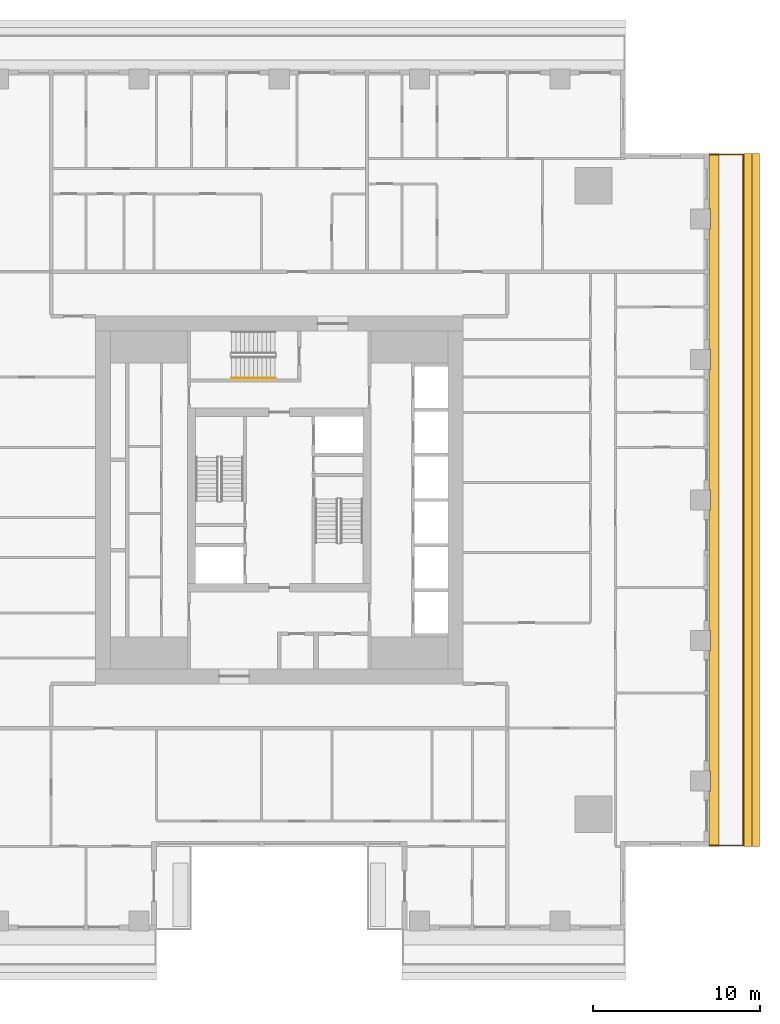
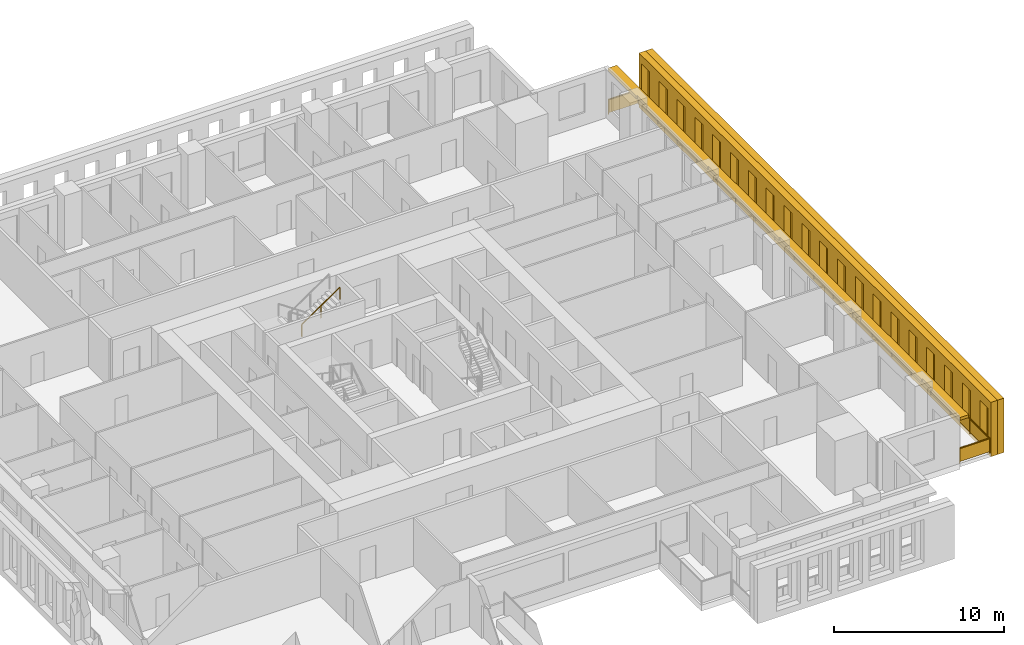
# One storey, part 13 of 15: 3 shading devices, 2 railings.
"""IFC4 building model written with IfcOpenShell, lengths in metres."""

from ifc_helpers import new_model, si_unit, direction, frame, origin, origin_2d, place, context, subcontext, project, spatial, polyline, rectangle, outline, extrude, material, layer, layer_set, type_object, element, save


model = new_model("IFC4")

# Units and contexts
model_context = context("Model", 3, precision=1e-05, world=origin(), true_north=direction((0.0, 1.0)))
body_context = subcontext(model_context, "Body", "Model", "MODEL_VIEW")
ifc_project = project(units=[si_unit("LENGTHUNIT", "METRE"), si_unit("AREAUNIT", "SQUARE_METRE"), si_unit("VOLUMEUNIT", "CUBIC_METRE"), si_unit("PLANEANGLEUNIT", "RADIAN"), si_unit("MASSUNIT", "GRAM", prefix="KILO")], contexts=[model_context])

# Site, building, storey
site_placement = place(None, origin())
site = spatial("IfcSite", under=ifc_project, at=site_placement, CompositionType="ELEMENT")
building_placement = place(site_placement, origin())
building = spatial("IfcBuilding", under=site, at=building_placement, Name="Khepri Terraces", CompositionType="ELEMENT")
storey_placement = place(building_placement, frame((0.0, 0.0, 256.199951171875)))
storey = spatial("IfcBuildingStorey", under=building, at=storey_placement, Name="L61", CompositionType="ELEMENT", Elevation=256.199951171875)

# Railings
ifc_material_1 = material(Name="Stainless steel grade 316", Category="steel")
railing_type_1 = type_object("IfcRailingType", Name="GRD-BAL-1100", PredefinedType="GUARDRAIL", material=ifc_material_1)
railing_1_placement = place(storey_placement, frame((25.719970703125, -20.669921875, 0.0)))
element("IfcRailing", 1, at=railing_1_placement, inside=storey, type_object=railing_type_1, Name="Balcony guard L61 E", PredefinedType="GUARDRAIL", context=body_context, shape_type="SweptSolid", body=[
    extrude(rectangle(XDim=0.050048828125, YDim=0.06005859375, at=origin_2d()), frame((0.0, 0.0, 1.070068359375), z_axis=(1.0, 0.0, 0.0), x_axis=(0.0, 1.0, 0.0)), (0.0, 0.0, 1.0), 2.050048828125),
    extrude(rectangle(XDim=2.0, YDim=0.011962890625, at=origin_2d()), frame((1.02490234375, 0.0, 0.10009765625), z_axis=(0.0, 0.0, 1.0), x_axis=(1.0, 0.0, 0.0)), (0.0, 0.0, 1.0), 0.93994140625),
    extrude(rectangle(XDim=0.050048828125, YDim=0.06005859375, at=origin_2d()), frame((2.050048828125, 0.0, 1.070068359375), z_axis=(0.0, 1.0, 0.0), x_axis=(-1.0, 0.0, 0.0)), (0.0, 0.0, 1.0), 41.33984375),
    extrude(rectangle(XDim=2.24658203125, YDim=0.011962890625, at=origin_2d()), frame((2.050048828125, 1.1484375, 0.10009765625), z_axis=(0.0, 0.0, 1.0), x_axis=(0.0, 1.0, 0.0)), (0.0, 0.0, 1.0), 0.93994140625),
    extrude(rectangle(XDim=2.24658203125, YDim=0.011962890625, at=origin_2d()), frame((2.050048828125, 3.445068359375, 0.10009765625), z_axis=(0.0, 0.0, 1.0), x_axis=(0.0, 1.0, 0.0)), (0.0, 0.0, 1.0), 0.93994140625),
    extrude(rectangle(XDim=2.24658203125, YDim=0.011962890625, at=origin_2d()), frame((2.050048828125, 5.74169921875, 0.10009765625), z_axis=(0.0, 0.0, 1.0), x_axis=(0.0, 1.0, 0.0)), (0.0, 0.0, 1.0), 0.93994140625),
    extrude(rectangle(XDim=2.24658203125, YDim=0.011962890625, at=origin_2d()), frame((2.050048828125, 8.038330078125, 0.10009765625), z_axis=(0.0, 0.0, 1.0), x_axis=(0.0, 1.0, 0.0)), (0.0, 0.0, 1.0), 0.93994140625),
    extrude(rectangle(XDim=2.24658203125, YDim=0.011962890625, at=origin_2d()), frame((2.050048828125, 10.3349609375, 0.10009765625), z_axis=(0.0, 0.0, 1.0), x_axis=(0.0, 1.0, 0.0)), (0.0, 0.0, 1.0), 0.93994140625),
    extrude(rectangle(XDim=2.24658203125, YDim=0.011962890625, at=origin_2d()), frame((2.050048828125, 12.631591796875, 0.10009765625), z_axis=(0.0, 0.0, 1.0), x_axis=(0.0, 1.0, 0.0)), (0.0, 0.0, 1.0), 0.93994140625),
    extrude(rectangle(XDim=2.24658203125, YDim=0.011962890625, at=origin_2d()), frame((2.050048828125, 14.92822265625, 0.10009765625), z_axis=(0.0, 0.0, 1.0), x_axis=(0.0, 1.0, 0.0)), (0.0, 0.0, 1.0), 0.93994140625),
    extrude(rectangle(XDim=2.24658203125, YDim=0.011962890625, at=origin_2d()), frame((2.050048828125, 17.224853515625, 0.10009765625), z_axis=(0.0, 0.0, 1.0), x_axis=(0.0, 1.0, 0.0)), (0.0, 0.0, 1.0), 0.93994140625),
    extrude(rectangle(XDim=2.24658203125, YDim=0.011962890625, at=origin_2d()), frame((2.050048828125, 19.521484375, 0.10009765625), z_axis=(0.0, 0.0, 1.0), x_axis=(0.0, 1.0, 0.0)), (0.0, 0.0, 1.0), 0.93994140625),
    extrude(rectangle(XDim=2.24658203125, YDim=0.011962890625, at=origin_2d()), frame((2.050048828125, 21.818359375, 0.10009765625), z_axis=(0.0, 0.0, 1.0), x_axis=(0.0, 1.0, 0.0)), (0.0, 0.0, 1.0), 0.93994140625),
    extrude(rectangle(XDim=2.24658203125, YDim=0.011962890625, at=origin_2d()), frame((2.050048828125, 24.114990234375, 0.10009765625), z_axis=(0.0, 0.0, 1.0), x_axis=(0.0, 1.0, 0.0)), (0.0, 0.0, 1.0), 0.93994140625),
    extrude(rectangle(XDim=2.24658203125, YDim=0.011962890625, at=origin_2d()), frame((2.050048828125, 26.41162109375, 0.10009765625), z_axis=(0.0, 0.0, 1.0), x_axis=(0.0, 1.0, 0.0)), (0.0, 0.0, 1.0), 0.93994140625),
    extrude(rectangle(XDim=2.24658203125, YDim=0.011962890625, at=origin_2d()), frame((2.050048828125, 28.708251953125, 0.10009765625), z_axis=(0.0, 0.0, 1.0), x_axis=(0.0, 1.0, 0.0)), (0.0, 0.0, 1.0), 0.93994140625),
    extrude(rectangle(XDim=2.24658203125, YDim=0.011962890625, at=origin_2d()), frame((2.050048828125, 31.0048828125, 0.10009765625), z_axis=(0.0, 0.0, 1.0), x_axis=(0.0, 1.0, 0.0)), (0.0, 0.0, 1.0), 0.93994140625),
    extrude(rectangle(XDim=2.24658203125, YDim=0.011962890625, at=origin_2d()), frame((2.050048828125, 33.301513671875, 0.10009765625), z_axis=(0.0, 0.0, 1.0), x_axis=(0.0, 1.0, 0.0)), (0.0, 0.0, 1.0), 0.93994140625),
    extrude(rectangle(XDim=2.24658203125, YDim=0.011962890625, at=origin_2d()), frame((2.050048828125, 35.59814453125, 0.10009765625), z_axis=(0.0, 0.0, 1.0), x_axis=(0.0, 1.0, 0.0)), (0.0, 0.0, 1.0), 0.93994140625),
    extrude(rectangle(XDim=2.24658203125, YDim=0.011962890625, at=origin_2d()), frame((2.050048828125, 37.894775390625, 0.10009765625), z_axis=(0.0, 0.0, 1.0), x_axis=(0.0, 1.0, 0.0)), (0.0, 0.0, 1.0), 0.93994140625),
    extrude(rectangle(XDim=2.24658203125, YDim=0.011962890625, at=origin_2d()), frame((2.050048828125, 40.19140625, 0.10009765625), z_axis=(0.0, 0.0, 1.0), x_axis=(0.0, 1.0, 0.0)), (0.0, 0.0, 1.0), 0.93994140625),
    extrude(rectangle(XDim=0.050048828125, YDim=0.06005859375, at=origin_2d()), frame((2.050048828125, 41.33984375, 1.070068359375), z_axis=(-1.0, 0.0, 0.0), x_axis=(0.0, -1.0, 0.0)), (0.0, 0.0, 1.0), 2.050048828125),
    extrude(rectangle(XDim=2.0, YDim=0.011962890625, at=origin_2d()), frame((1.02490234375, 41.33984375, 0.10009765625), z_axis=(0.0, 0.0, 1.0), x_axis=(-1.0, 0.0, 0.0)), (0.0, 0.0, 1.0), 0.93994140625),
    extrude(rectangle(XDim=0.050048828125, YDim=0.050048828125, at=origin_2d()), origin(), (0.0, 0.0, 1.0), 1.0400390625),
    extrude(rectangle(XDim=0.050048828125, YDim=0.050048828125, at=origin_2d()), frame((2.050048828125, 0.0, 0.0)), (0.0, 0.0, 1.0), 1.0400390625),
    extrude(rectangle(XDim=0.050048828125, YDim=0.050048828125, at=origin_2d()), frame((2.050048828125, 2.296630859375, 0.0)), (0.0, 0.0, 1.0), 1.0400390625),
    extrude(rectangle(XDim=0.050048828125, YDim=0.050048828125, at=origin_2d()), frame((2.050048828125, 4.59326171875, 0.0)), (0.0, 0.0, 1.0), 1.0400390625),
    extrude(rectangle(XDim=0.050048828125, YDim=0.050048828125, at=origin_2d()), frame((2.050048828125, 6.889892578125, 0.0)), (0.0, 0.0, 1.0), 1.0400390625),
    extrude(rectangle(XDim=0.050048828125, YDim=0.050048828125, at=origin_2d()), frame((2.050048828125, 9.1865234375, 0.0)), (0.0, 0.0, 1.0), 1.0400390625),
    extrude(rectangle(XDim=0.050048828125, YDim=0.050048828125, at=origin_2d()), frame((2.050048828125, 11.4833984375, 0.0)), (0.0, 0.0, 1.0), 1.0400390625),
    extrude(rectangle(XDim=0.050048828125, YDim=0.050048828125, at=origin_2d()), frame((2.050048828125, 13.780029296875, 0.0)), (0.0, 0.0, 1.0), 1.0400390625),
    extrude(rectangle(XDim=0.050048828125, YDim=0.050048828125, at=origin_2d()), frame((2.050048828125, 16.07666015625, 0.0)), (0.0, 0.0, 1.0), 1.0400390625),
    extrude(rectangle(XDim=0.050048828125, YDim=0.050048828125, at=origin_2d()), frame((2.050048828125, 18.373291015625, 0.0)), (0.0, 0.0, 1.0), 1.0400390625),
    extrude(rectangle(XDim=0.050048828125, YDim=0.050048828125, at=origin_2d()), frame((2.050048828125, 20.669921875, 0.0)), (0.0, 0.0, 1.0), 1.0400390625),
    extrude(rectangle(XDim=0.050048828125, YDim=0.050048828125, at=origin_2d()), frame((2.050048828125, 22.966552734375, 0.0)), (0.0, 0.0, 1.0), 1.0400390625),
    extrude(rectangle(XDim=0.050048828125, YDim=0.050048828125, at=origin_2d()), frame((2.050048828125, 25.26318359375, 0.0)), (0.0, 0.0, 1.0), 1.0400390625),
    extrude(rectangle(XDim=0.050048828125, YDim=0.050048828125, at=origin_2d()), frame((2.050048828125, 27.559814453125, 0.0)), (0.0, 0.0, 1.0), 1.0400390625),
    extrude(rectangle(XDim=0.050048828125, YDim=0.050048828125, at=origin_2d()), frame((2.050048828125, 29.8564453125, 0.0)), (0.0, 0.0, 1.0), 1.0400390625),
    extrude(rectangle(XDim=0.050048828125, YDim=0.050048828125, at=origin_2d()), frame((2.050048828125, 32.1533203125, 0.0)), (0.0, 0.0, 1.0), 1.0400390625),
    extrude(rectangle(XDim=0.050048828125, YDim=0.050048828125, at=origin_2d()), frame((2.050048828125, 34.449951171875, 0.0)), (0.0, 0.0, 1.0), 1.0400390625),
    extrude(rectangle(XDim=0.050048828125, YDim=0.050048828125, at=origin_2d()), frame((2.050048828125, 36.74658203125, 0.0)), (0.0, 0.0, 1.0), 1.0400390625),
    extrude(rectangle(XDim=0.050048828125, YDim=0.050048828125, at=origin_2d()), frame((2.050048828125, 39.043212890625, 0.0)), (0.0, 0.0, 1.0), 1.0400390625),
    extrude(rectangle(XDim=0.050048828125, YDim=0.050048828125, at=origin_2d()), frame((2.050048828125, 41.33984375, 0.0)), (0.0, 0.0, 1.0), 1.0400390625),
    extrude(rectangle(XDim=0.050048828125, YDim=0.050048828125, at=origin_2d()), frame((0.0, 41.33984375, 0.0)), (0.0, 0.0, 1.0), 1.0400390625),
])
ifc_material_2 = material(Name="Stainless steel 316", Category="steel")
railing_type_2 = type_object("IfcRailingType", Name="RL-CORE-HANDRAIL", PredefinedType="HANDRAIL", material=ifc_material_2)
railing_2_placement = place(storey_placement, frame((-2.85009765625, 7.300048828125, 2.12744140625)))
element("IfcRailing", 2, at=railing_2_placement, inside=storey, type_object=railing_type_2, Name="L61 ST-3 stair handrail 2", PredefinedType="HANDRAIL", context=body_context, shape_type="SweptSolid", body=[
    extrude(rectangle(XDim=0.050048828125, YDim=0.050048828125, at=origin_2d()), frame((0.0, 0.0, 0.875), z_axis=(0.826240473404, 0.0, 0.563317565952), x_axis=(0.0, 1.0, 0.0)), (0.0, 0.0, 1.0), 3.14697265625),
    extrude(rectangle(XDim=0.050048828125, YDim=0.050048828125, at=origin_2d()), origin(), (0.0, 0.0, 1.0), 0.849853515625),
    extrude(rectangle(XDim=0.050048828125, YDim=0.050048828125, at=origin_2d()), frame((1.300048828125, 0.0, 0.88623046875)), (0.0, 0.0, 1.0), 0.849853515625),
    extrude(rectangle(XDim=0.050048828125, YDim=0.050048828125, at=origin_2d()), frame((2.60009765625, 0.0, 1.772705078125)), (0.0, 0.0, 1.0), 0.849853515625),
])

# Shading devices
ifc_material_3 = material(Name="Precast concrete C50/60 warm stone", Category="masonry")
shading_device_type_1 = type_object("IfcShadingDeviceType", Name="SCR-CELL-INNER-450", PredefinedType="USERDEFINED", material=ifc_material_3)
shading_device_1_placement = place(storey_placement, frame((27.820068359375, -20.719970703125, -0.25), z_axis=(1.0, 0.0, 0.0), x_axis=(0.0, 1.0, 0.0)))
element("IfcShadingDevice", 3, at=shading_device_1_placement, inside=storey, type_object=shading_device_type_1, Name="Cell screen L61 E in", ObjectType="SCREEN", PredefinedType="USERDEFINED", context=body_context, shape_type="SweptSolid", body=[
    extrude(outline(polyline([(0.0, 0.0), (41.43994140625, 0.0), (41.43994140625, 3.89990234375), (0.0, 3.89990234375), (0.0, 0.0)]), holes=[polyline([(0.297607421875, 0.699951171875), (1.242431640625, 0.699951171875), (1.242431640625, 3.300048828125), (0.297607421875, 3.300048828125), (0.297607421875, 0.699951171875)]), polyline([(2.3974609375, 0.699951171875), (3.342529296875, 0.699951171875), (3.342529296875, 3.300048828125), (2.3974609375, 3.300048828125), (2.3974609375, 0.699951171875)]), polyline([(4.49755859375, 0.699951171875), (5.4423828125, 0.699951171875), (5.4423828125, 3.300048828125), (4.49755859375, 3.300048828125), (4.49755859375, 0.699951171875)]), polyline([(6.597412109375, 0.699951171875), (7.54248046875, 0.699951171875), (7.54248046875, 3.300048828125), (6.597412109375, 3.300048828125), (6.597412109375, 0.699951171875)]), polyline([(8.697509765625, 0.699951171875), (9.642578125, 0.699951171875), (9.642578125, 3.300048828125), (8.697509765625, 3.300048828125), (8.697509765625, 0.699951171875)]), polyline([(10.797607421875, 0.699951171875), (11.742431640625, 0.699951171875), (11.742431640625, 3.300048828125), (10.797607421875, 3.300048828125), (10.797607421875, 0.699951171875)]), polyline([(12.8974609375, 0.699951171875), (13.842529296875, 0.699951171875), (13.842529296875, 3.300048828125), (12.8974609375, 3.300048828125), (12.8974609375, 0.699951171875)]), polyline([(14.99755859375, 0.699951171875), (15.9423828125, 0.699951171875), (15.9423828125, 3.300048828125), (14.99755859375, 3.300048828125), (14.99755859375, 0.699951171875)]), polyline([(17.097412109375, 0.699951171875), (18.04248046875, 0.699951171875), (18.04248046875, 3.300048828125), (17.097412109375, 3.300048828125), (17.097412109375, 0.699951171875)]), polyline([(19.197509765625, 0.699951171875), (20.142578125, 0.699951171875), (20.142578125, 3.300048828125), (19.197509765625, 3.300048828125), (19.197509765625, 0.699951171875)]), polyline([(21.297607421875, 0.699951171875), (22.242431640625, 0.699951171875), (22.242431640625, 3.300048828125), (21.297607421875, 3.300048828125), (21.297607421875, 0.699951171875)]), polyline([(23.3974609375, 0.699951171875), (24.342529296875, 0.699951171875), (24.342529296875, 3.300048828125), (23.3974609375, 3.300048828125), (23.3974609375, 0.699951171875)]), polyline([(25.49755859375, 0.699951171875), (26.4423828125, 0.699951171875), (26.4423828125, 3.300048828125), (25.49755859375, 3.300048828125), (25.49755859375, 0.699951171875)]), polyline([(27.597412109375, 0.699951171875), (28.54248046875, 0.699951171875), (28.54248046875, 3.300048828125), (27.597412109375, 3.300048828125), (27.597412109375, 0.699951171875)]), polyline([(29.697509765625, 0.699951171875), (30.642578125, 0.699951171875), (30.642578125, 3.300048828125), (29.697509765625, 3.300048828125), (29.697509765625, 0.699951171875)]), polyline([(31.797607421875, 0.699951171875), (32.742431640625, 0.699951171875), (32.742431640625, 3.300048828125), (31.797607421875, 3.300048828125), (31.797607421875, 0.699951171875)]), polyline([(33.8974609375, 0.699951171875), (34.842529296875, 0.699951171875), (34.842529296875, 3.300048828125), (33.8974609375, 3.300048828125), (33.8974609375, 0.699951171875)]), polyline([(35.99755859375, 0.699951171875), (36.9423828125, 0.699951171875), (36.9423828125, 3.300048828125), (35.99755859375, 3.300048828125), (35.99755859375, 0.699951171875)]), polyline([(38.097412109375, 0.699951171875), (39.04248046875, 0.699951171875), (39.04248046875, 3.300048828125), (38.097412109375, 3.300048828125), (38.097412109375, 0.699951171875)]), polyline([(40.197509765625, 0.699951171875), (41.142578125, 0.699951171875), (41.142578125, 3.300048828125), (40.197509765625, 3.300048828125), (40.197509765625, 0.699951171875)])]), origin(), (0.0, 0.0, 1.0), 0.449951171875),
])
shading_device_type_2 = type_object("IfcShadingDeviceType", Name="SCR-CELL-OUTER-450", PredefinedType="USERDEFINED", material=ifc_material_3)
shading_device_2_placement = place(storey_placement, frame((28.27001953125, -20.719970703125, -0.25), z_axis=(1.0, 0.0, 0.0), x_axis=(0.0, 1.0, 0.0)))
element("IfcShadingDevice", 4, at=shading_device_2_placement, inside=storey, type_object=shading_device_type_2, Name="Cell screen L61 E out", ObjectType="SCREEN", PredefinedType="USERDEFINED", context=body_context, shape_type="SweptSolid", body=[
    extrude(outline(polyline([(0.0, 0.0), (41.43994140625, 0.0), (41.43994140625, 3.89990234375), (0.0, 3.89990234375), (0.0, 0.0)]), holes=[polyline([(2.047607421875, 0.449951171875), (3.6923828125, 0.449951171875), (3.6923828125, 3.550048828125), (2.047607421875, 3.550048828125), (2.047607421875, 0.449951171875)]), polyline([(4.1474609375, 0.449951171875), (5.79248046875, 0.449951171875), (5.79248046875, 3.550048828125), (4.1474609375, 3.550048828125), (4.1474609375, 0.449951171875)]), polyline([(6.24755859375, 0.449951171875), (7.892578125, 0.449951171875), (7.892578125, 3.550048828125), (6.24755859375, 3.550048828125), (6.24755859375, 0.449951171875)]), polyline([(8.347412109375, 0.449951171875), (9.992431640625, 0.449951171875), (9.992431640625, 3.550048828125), (8.347412109375, 3.550048828125), (8.347412109375, 0.449951171875)]), polyline([(10.447509765625, 0.449951171875), (12.092529296875, 0.449951171875), (12.092529296875, 3.550048828125), (10.447509765625, 3.550048828125), (10.447509765625, 0.449951171875)]), polyline([(12.547607421875, 0.449951171875), (14.1923828125, 0.449951171875), (14.1923828125, 3.550048828125), (12.547607421875, 3.550048828125), (12.547607421875, 0.449951171875)]), polyline([(14.6474609375, 0.449951171875), (16.29248046875, 0.449951171875), (16.29248046875, 3.550048828125), (14.6474609375, 3.550048828125), (14.6474609375, 0.449951171875)]), polyline([(16.74755859375, 0.449951171875), (18.392578125, 0.449951171875), (18.392578125, 3.550048828125), (16.74755859375, 3.550048828125), (16.74755859375, 0.449951171875)]), polyline([(18.847412109375, 0.449951171875), (20.492431640625, 0.449951171875), (20.492431640625, 3.550048828125), (18.847412109375, 3.550048828125), (18.847412109375, 0.449951171875)]), polyline([(20.947509765625, 0.449951171875), (22.592529296875, 0.449951171875), (22.592529296875, 3.550048828125), (20.947509765625, 3.550048828125), (20.947509765625, 0.449951171875)]), polyline([(23.047607421875, 0.449951171875), (24.6923828125, 0.449951171875), (24.6923828125, 3.550048828125), (23.047607421875, 3.550048828125), (23.047607421875, 0.449951171875)]), polyline([(25.1474609375, 0.449951171875), (26.79248046875, 0.449951171875), (26.79248046875, 3.550048828125), (25.1474609375, 3.550048828125), (25.1474609375, 0.449951171875)]), polyline([(27.24755859375, 0.449951171875), (28.892578125, 0.449951171875), (28.892578125, 3.550048828125), (27.24755859375, 3.550048828125), (27.24755859375, 0.449951171875)]), polyline([(29.347412109375, 0.449951171875), (30.992431640625, 0.449951171875), (30.992431640625, 3.550048828125), (29.347412109375, 3.550048828125), (29.347412109375, 0.449951171875)]), polyline([(31.447509765625, 0.449951171875), (33.092529296875, 0.449951171875), (33.092529296875, 3.550048828125), (31.447509765625, 3.550048828125), (31.447509765625, 0.449951171875)]), polyline([(33.547607421875, 0.449951171875), (35.1923828125, 0.449951171875), (35.1923828125, 3.550048828125), (33.547607421875, 3.550048828125), (33.547607421875, 0.449951171875)]), polyline([(35.6474609375, 0.449951171875), (37.29248046875, 0.449951171875), (37.29248046875, 3.550048828125), (35.6474609375, 3.550048828125), (35.6474609375, 0.449951171875)]), polyline([(37.74755859375, 0.449951171875), (39.392578125, 0.449951171875), (39.392578125, 3.550048828125), (37.74755859375, 3.550048828125), (37.74755859375, 0.449951171875)])]), origin(), (0.0, 0.0, 1.0), 0.449951171875),
])
ifc_layer = layer(ifc_material_3, 0.199951171875, Name="Precast concrete C50/60 warm stone", Category="masonry")
ifc_layer_set = layer_set([ifc_layer], Name="Precast concrete C50/60 warm stone")
shading_device_type_3 = type_object("IfcShadingDeviceType", Name="SSH-BAND-STONE-200-N", PredefinedType="USERDEFINED", material=ifc_layer_set)
shading_device_3_placement = place(storey_placement, frame((0.0, 0.0, 3.10009765625)))
element("IfcShadingDevice", 5, at=shading_device_3_placement, inside=storey, type_object=shading_device_type_3, Name="Sunshade band L61 E", ObjectType="SUNSHADE", PredefinedType="USERDEFINED", context=body_context, shape_type="SweptSolid", body=[
    extrude(outline(polyline([(25.719970703125, -17.39990234375), (25.719970703125, -20.719970703125), (26.320068359375, -20.719970703125), (26.320068359375, 20.719970703125), (25.719970703125, 20.719970703125), (25.719970703125, 17.39990234375), (25.800048828125, 17.39990234375), (25.800048828125, 16.199951171875), (25.719970703125, 16.199951171875), (25.719970703125, 9.0), (25.800048828125, 9.0), (25.800048828125, 7.800048828125), (25.719970703125, 7.800048828125), (25.719970703125, 0.60009765625), (25.800048828125, 0.60009765625), (25.800048828125, -0.60009765625), (25.719970703125, -0.60009765625), (25.719970703125, -7.800048828125), (25.800048828125, -7.800048828125), (25.800048828125, -9.0), (25.719970703125, -9.0), (25.719970703125, -16.199951171875), (25.800048828125, -16.199951171875), (25.800048828125, -17.39990234375), (25.719970703125, -17.39990234375)])), origin(), (0.0, 0.0, 1.0), 0.199951171875),
])

save(model, "model.ifc")
